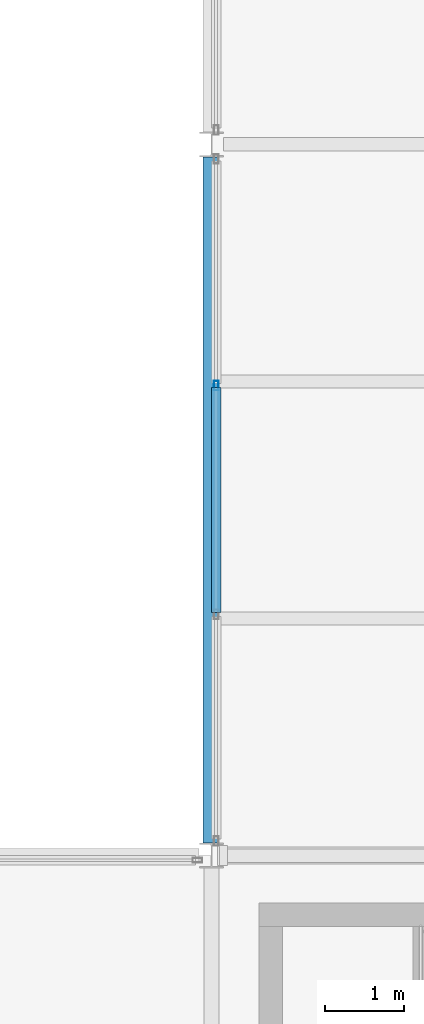
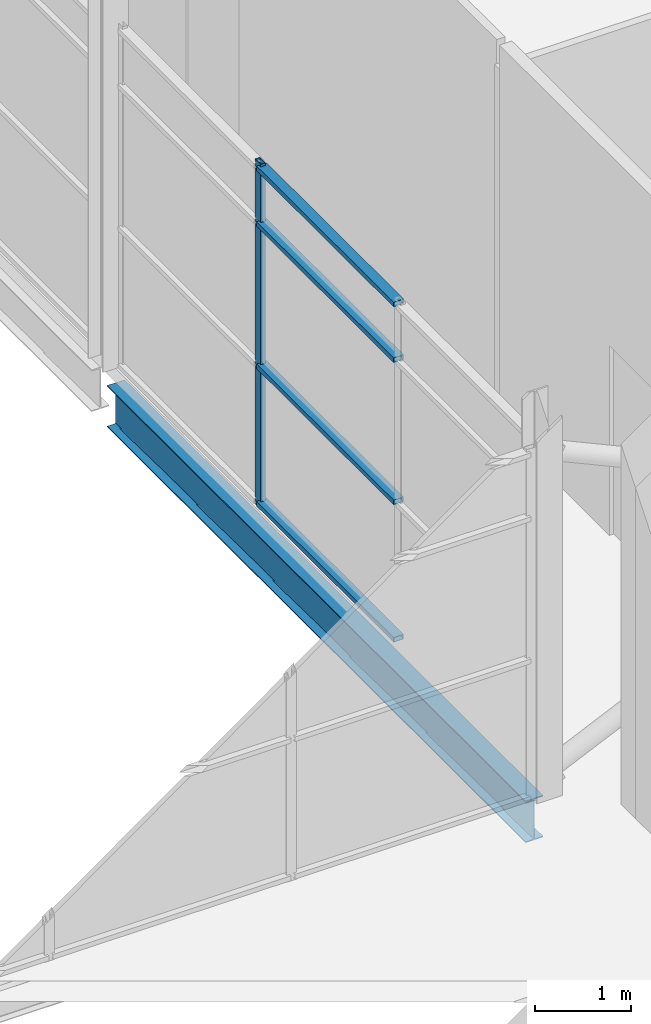
# One storey, part 36 of 61: 5 members, 1 beam, 1 element without a shape of its own.
"""IFC4 building model written with IfcOpenShell, lengths in metres."""

from ifc_helpers import new_model, si_unit, direction, frame, origin, origin_2d, place, context, subcontext, project, spatial, hollow_rectangle, i_section, extrude, material, layer, layer_set, material_profile, profile_set, type_object, element, aggregate, save


model = new_model("IFC4")

# Units and contexts
model_context = context("Model", 3, precision=1e-05, world=origin(), true_north=direction((0.0, 1.0)))
body_context = subcontext(model_context, "Body", "Model", "MODEL_VIEW")
ifc_project = project(units=[si_unit("LENGTHUNIT", "METRE"), si_unit("AREAUNIT", "SQUARE_METRE"), si_unit("VOLUMEUNIT", "CUBIC_METRE"), si_unit("PLANEANGLEUNIT", "RADIAN"), si_unit("MASSUNIT", "GRAM", prefix="KILO")], contexts=[model_context])

# Site, building, storey
site_placement = place(None, origin())
site = spatial("IfcSite", under=ifc_project, at=site_placement, CompositionType="ELEMENT")
building_placement = place(site_placement, origin())
building = spatial("IfcBuilding", under=site, at=building_placement, Name="Shorebreak Coast Museum", CompositionType="ELEMENT")
storey_placement = place(building_placement, frame((0.0, 0.0, 26.0)))
storey = spatial("IfcBuildingStorey", under=building, at=storey_placement, Name="L04", CompositionType="ELEMENT", Elevation=26.0)

# Beam
ifc_material_1 = material(Name="Steel Grade 300", Category="steel")
ifc_material_profile_1 = material_profile(ifc_material_1, i_section(OverallWidth=0.208984375, OverallDepth=0.5283203125, WebThickness=0.009521484375, FlangeThickness=0.01318359375, FilletRadius=0.013916015625, at=origin_2d()), Name="530UB82.0")
ifc_profile_set_1 = profile_set([ifc_material_profile_1], Name="Steel Grade 300")
beam_type = type_object("IfcBeamType", Name="Floor girder north-south 530UB82.0", PredefinedType="BEAM", material=ifc_profile_set_1)
beam_placement = place(storey_placement, frame((108.0, 63.160400390625, -0.439208984375), z_axis=(0.0, 1.0, 0.0), x_axis=(-1.0, 0.0, 0.0)))
element("IfcBeam", 1, at=beam_placement, inside=storey, type_object=beam_type, Name="Floor girder north-south L04 13H", PredefinedType="BEAM", context=body_context, shape_type="SweptSolid", body=[
    extrude(i_section(OverallWidth=0.208984375, OverallDepth=0.5283203125, WebThickness=0.009521484375, FlangeThickness=0.01318359375, FilletRadius=0.013916015625, at=origin_2d()), origin(), (0.0, 0.0, 1.0), 8.67919921875),
])

# Curtain wall, members
ifc_material_2 = material(Name="Aluminium", Category="aluminium")
ifc_layer = layer(ifc_material_2, 0.1201171875)
ifc_layer_set = layer_set([ifc_layer], Name="Aluminium")
curtain_wall_type = type_object("IfcCurtainWallType", Name="Atrium fire screen", PredefinedType="NOTDEFINED", material=ifc_layer_set)
curtain_wall_placement = place(storey_placement, origin())
curtain_wall = element("IfcCurtainWall", 2, at=curtain_wall_placement, inside=storey, type_object=curtain_wall_type, Name="Atrium screen L04 E 61", PredefinedType="NOTDEFINED")
ifc_material_3 = material(Name="Aluminium", Category="aluminium")
ifc_material_profile_2 = material_profile(ifc_material_3, hollow_rectangle(XDim=0.06005859375, YDim=0.1201171875, WallThickness=0.00341796875, at=origin_2d()), Name="AL 120x60 RHS")
ifc_profile_set_2 = profile_set([ifc_material_profile_2], Name="Aluminium")
member_type_1 = type_object("IfcMemberType", Name="Screen mullion 50 x 120", PredefinedType="MULLION", material=ifc_profile_set_2)
member_1_placement = place(storey_placement, frame((108.06005859375, 68.947509765625, 0.0), z_axis=(0.0, 0.0, 1.0), x_axis=(-1.0, 0.0, 0.0)))
member_1 = element("IfcMember", 3, at=member_1_placement, type_object=member_type_1, Name="CW5 mullion 3", PredefinedType="MULLION", context=body_context, shape_type="SweptSolid", body=[
    extrude(hollow_rectangle(XDim=0.06005859375, YDim=0.1201171875, WallThickness=0.00341796875, at=origin_2d()), origin(), (0.0, 0.0, 1.0), 4.364501953125),
])
ifc_material_4 = material(Name="Aluminium", Category="aluminium")
ifc_material_profile_3 = material_profile(ifc_material_4, hollow_rectangle(XDim=0.1201171875, YDim=0.06005859375, WallThickness=0.00341796875, at=origin_2d()), Name="AL 60x120 RHS")
ifc_profile_set_3 = profile_set([ifc_material_profile_3], Name="Aluminium")
member_type_2 = type_object("IfcMemberType", Name="Screen transom 120 x 50", PredefinedType="USERDEFINED", material=ifc_profile_set_3)
member_2_placement = place(storey_placement, frame((108.06005859375, 66.077392578125, 0.06005859375), z_axis=(0.0, 1.0, 0.0), x_axis=(-1.0, 0.0, 0.0)))
member_2 = element("IfcMember", 4, at=member_2_placement, type_object=member_type_2, Name="CW5 transom 2.1", ObjectType="TRANSOM", PredefinedType="USERDEFINED", context=body_context, shape_type="SweptSolid", body=[
    extrude(hollow_rectangle(XDim=0.1201171875, YDim=0.06005859375, WallThickness=0.00341796875, at=origin_2d()), origin(), (0.0, 0.0, 1.0), 2.84521484375),
])
member_3_placement = place(storey_placement, frame((108.06005859375, 66.077392578125, 1.800048828125), z_axis=(0.0, 1.0, 0.0), x_axis=(-1.0, 0.0, 0.0)))
member_3 = element("IfcMember", 5, at=member_3_placement, type_object=member_type_2, Name="CW5 transom 2.2", ObjectType="TRANSOM", PredefinedType="USERDEFINED", context=body_context, shape_type="SweptSolid", body=[
    extrude(hollow_rectangle(XDim=0.1201171875, YDim=0.06005859375, WallThickness=0.00341796875, at=origin_2d()), origin(), (0.0, 0.0, 1.0), 2.84521484375),
])
member_4_placement = place(storey_placement, frame((108.06005859375, 66.077392578125, 3.60009765625), z_axis=(0.0, 1.0, 0.0), x_axis=(-1.0, 0.0, 0.0)))
member_4 = element("IfcMember", 6, at=member_4_placement, type_object=member_type_2, Name="CW5 transom 2.3", ObjectType="TRANSOM", PredefinedType="USERDEFINED", context=body_context, shape_type="SweptSolid", body=[
    extrude(hollow_rectangle(XDim=0.1201171875, YDim=0.06005859375, WallThickness=0.00341796875, at=origin_2d()), origin(), (0.0, 0.0, 1.0), 2.84521484375),
])
member_5_placement = place(storey_placement, frame((108.06005859375, 66.077392578125, 4.3046875), z_axis=(0.0, 1.0, 0.0), x_axis=(-1.0, 0.0, 0.0)))
member_5 = element("IfcMember", 7, at=member_5_placement, type_object=member_type_2, Name="CW5 transom 2.4", ObjectType="TRANSOM", PredefinedType="USERDEFINED", context=body_context, shape_type="SweptSolid", body=[
    extrude(hollow_rectangle(XDim=0.1201171875, YDim=0.06005859375, WallThickness=0.00341796875, at=origin_2d()), origin(), (0.0, 0.0, 1.0), 2.84521484375),
])
aggregate(curtain_wall, [member_1, member_2, member_3, member_4, member_5])

save(model, "model.ifc")
